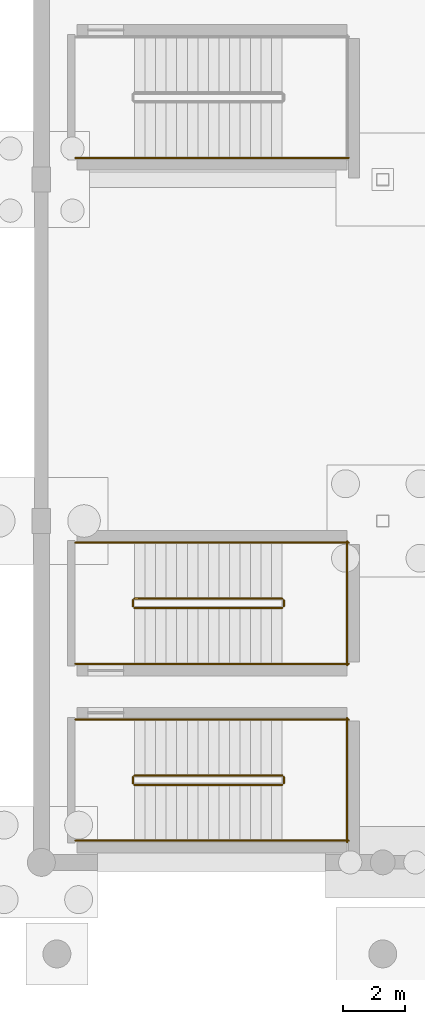
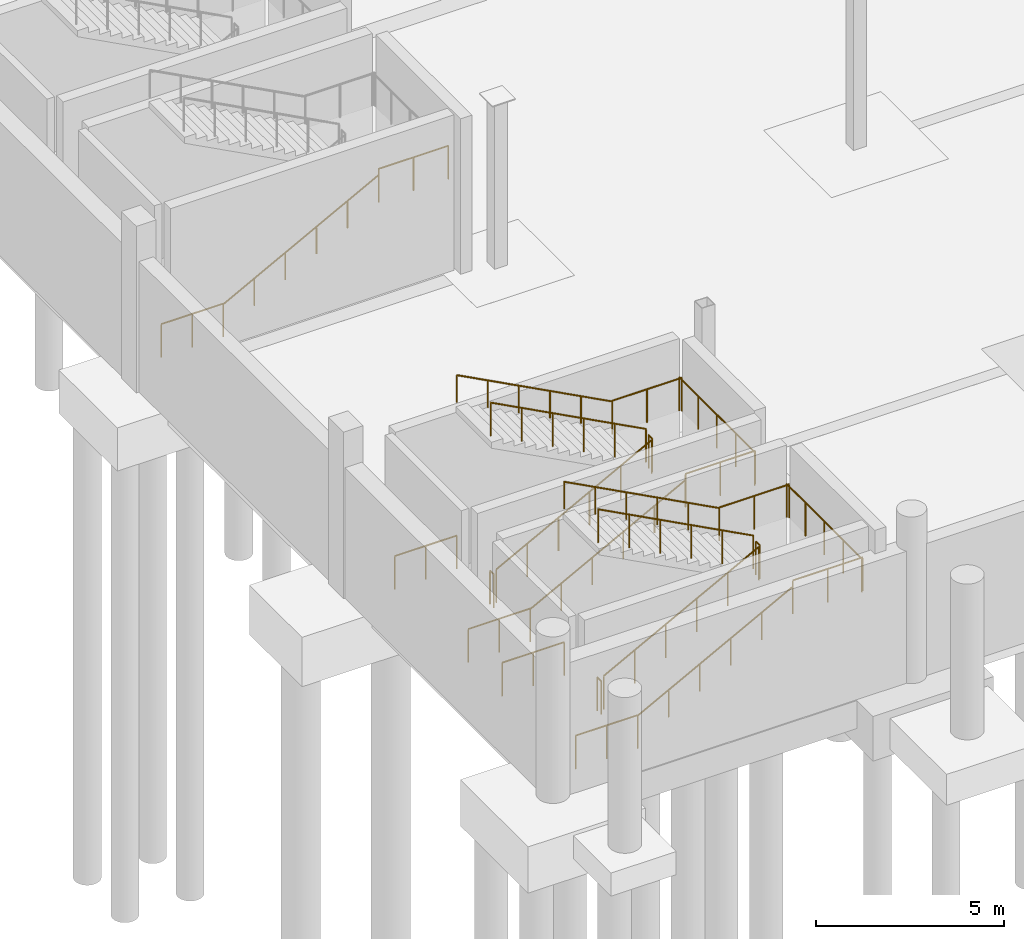
# One storey, part 47 of 60: 25 railings.
"""IFC4 building model written with IfcOpenShell, lengths in metres."""

from ifc_helpers import new_model, si_unit, direction, frame, origin, origin_2d, place, context, subcontext, project, spatial, circle, extrude, material, type_object, element, save


model = new_model("IFC4")

# Units and contexts
model_context = context("Model", 3, precision=1e-05, world=origin(), true_north=direction((0.0, 1.0)))
body_context = subcontext(model_context, "Body", "Model", "MODEL_VIEW")
ifc_project = project(units=[si_unit("LENGTHUNIT", "METRE"), si_unit("AREAUNIT", "SQUARE_METRE"), si_unit("VOLUMEUNIT", "CUBIC_METRE"), si_unit("PLANEANGLEUNIT", "RADIAN"), si_unit("MASSUNIT", "GRAM", prefix="KILO")], contexts=[model_context])

# Site, building, storey
site_placement = place(None, origin())
site = spatial("IfcSite", under=ifc_project, at=site_placement, CompositionType="ELEMENT")
building_placement = place(site_placement, origin())
building = spatial("IfcBuilding", under=site, at=building_placement, Name="Luwafu Chhajja Arena", CompositionType="ELEMENT")
storey_placement = place(building_placement, frame((0.0, 0.0, -5.39990234375)))
storey = spatial("IfcBuildingStorey", under=building, at=storey_placement, Name="B1", CompositionType="ELEMENT", Elevation=-5.39990234375)

# Railings
ifc_material_1 = material(Name="Stainless steel handrail", Category="steel")
railing_type_1 = type_object("IfcRailingType", Name="Stair Pitch Wall Handrail 920", PredefinedType="HANDRAIL", material=ifc_material_1)
for number, where, name in (
    (1, (3.0, 22.699951171875, 0.179931640625), "B1 ST-13 stair handrail 1"),
    (2, (3.0, 0.699951171875, 0.179931640625), "B1 ST-17 stair handrail 1"),
):
    element("IfcRailing", number, at=place(storey_placement, frame(where)), inside=storey, type_object=railing_type_1, Name=name, PredefinedType="HANDRAIL", context=body_context, shape_type="SweptSolid", body=[
        extrude(circle(Radius=0.02392578125, at=origin_2d()), frame((0.0, 0.0, 0.8759765625), z_axis=(0.883786813738, 0.0, 0.467889803119), x_axis=(0.0, 1.0, 0.0)), (0.0, 0.0, 1.0), 5.385986328125),
        extrude(circle(Radius=0.02099609375, at=origin_2d()), origin(), (0.0, 0.0, 1.0), 0.851806640625),
        extrude(circle(Radius=0.02099609375, at=origin_2d()), frame((0.951904296875, 0.0, 0.50390625)), (0.0, 0.0, 1.0), 0.851806640625),
        extrude(circle(Radius=0.02099609375, at=origin_2d()), frame((1.904052734375, 0.0, 1.008056640625)), (0.0, 0.0, 1.0), 0.851806640625),
        extrude(circle(Radius=0.02099609375, at=origin_2d()), frame((2.85595703125, 0.0, 1.511962890625)), (0.0, 0.0, 1.0), 0.851806640625),
        extrude(circle(Radius=0.02099609375, at=origin_2d()), frame((3.80810546875, 0.0, 2.01611328125)), (0.0, 0.0, 1.0), 0.851806640625),
        extrude(circle(Radius=0.02099609375, at=origin_2d()), frame((4.760009765625, 0.0, 2.52001953125)), (0.0, 0.0, 1.0), 0.851806640625),
    ])
railing_1_placement = place(storey_placement, frame((7.760009765625, 4.60009765625, 2.8798828125)))
element("IfcRailing", 3, at=railing_1_placement, inside=storey, type_object=railing_type_1, Name="B1 ST-17 stair handrail 2", PredefinedType="HANDRAIL", context=body_context, shape_type="SweptSolid", body=[
    extrude(circle(Radius=0.02392578125, at=origin_2d()), frame((0.0, 0.0, 0.8759765625), z_axis=(-0.883786813738, 0.0, 0.467889803119), x_axis=(0.0, -1.0, 0.0)), (0.0, 0.0, 1.0), 5.385986328125),
    extrude(circle(Radius=0.02099609375, at=origin_2d()), origin(), (0.0, 0.0, 1.0), 0.851806640625),
    extrude(circle(Radius=0.02099609375, at=origin_2d()), frame((-0.951904296875, 0.0, 0.50390625)), (0.0, 0.0, 1.0), 0.851806640625),
    extrude(circle(Radius=0.02099609375, at=origin_2d()), frame((-1.904052734375, 0.0, 1.008056640625)), (0.0, 0.0, 1.0), 0.851806640625),
    extrude(circle(Radius=0.02099609375, at=origin_2d()), frame((-2.85595703125, 0.0, 1.511962890625)), (0.0, 0.0, 1.0), 0.851806640625),
    extrude(circle(Radius=0.02099609375, at=origin_2d()), frame((-3.80810546875, 0.0, 2.01611328125)), (0.0, 0.0, 1.0), 0.851806640625),
    extrude(circle(Radius=0.02099609375, at=origin_2d()), frame((-4.760009765625, 0.0, 2.52001953125)), (0.0, 0.0, 1.0), 0.851806640625),
])
railing_2_placement = place(storey_placement, frame((3.0, 6.39990234375, 0.179931640625)))
element("IfcRailing", 4, at=railing_2_placement, inside=storey, type_object=railing_type_1, Name="B1 ST-18 stair handrail 1", PredefinedType="HANDRAIL", context=body_context, shape_type="SweptSolid", body=[
    extrude(circle(Radius=0.02392578125, at=origin_2d()), frame((0.0, 0.0, 0.8759765625), z_axis=(0.883786813738, 0.0, 0.467889803119), x_axis=(0.0, 1.0, 0.0)), (0.0, 0.0, 1.0), 5.385986328125),
    extrude(circle(Radius=0.02099609375, at=origin_2d()), origin(), (0.0, 0.0, 1.0), 0.851806640625),
    extrude(circle(Radius=0.02099609375, at=origin_2d()), frame((0.951904296875, 0.0, 0.50390625)), (0.0, 0.0, 1.0), 0.851806640625),
    extrude(circle(Radius=0.02099609375, at=origin_2d()), frame((1.904052734375, 0.0, 1.008056640625)), (0.0, 0.0, 1.0), 0.851806640625),
    extrude(circle(Radius=0.02099609375, at=origin_2d()), frame((2.85595703125, 0.0, 1.511962890625)), (0.0, 0.0, 1.0), 0.851806640625),
    extrude(circle(Radius=0.02099609375, at=origin_2d()), frame((3.80810546875, 0.0, 2.01611328125)), (0.0, 0.0, 1.0), 0.851806640625),
    extrude(circle(Radius=0.02099609375, at=origin_2d()), frame((4.760009765625, 0.0, 2.52001953125)), (0.0, 0.0, 1.0), 0.851806640625),
])
railing_3_placement = place(storey_placement, frame((7.760009765625, 10.300048828125, 2.8798828125)))
element("IfcRailing", 5, at=railing_3_placement, inside=storey, type_object=railing_type_1, Name="B1 ST-18 stair handrail 2", PredefinedType="HANDRAIL", context=body_context, shape_type="SweptSolid", body=[
    extrude(circle(Radius=0.02392578125, at=origin_2d()), frame((0.0, 0.0, 0.8759765625), z_axis=(-0.883786813738, 0.0, 0.467889803119), x_axis=(0.0, -1.0, 0.0)), (0.0, 0.0, 1.0), 5.385986328125),
    extrude(circle(Radius=0.02099609375, at=origin_2d()), origin(), (0.0, 0.0, 1.0), 0.851806640625),
    extrude(circle(Radius=0.02099609375, at=origin_2d()), frame((-0.951904296875, 0.0, 0.50390625)), (0.0, 0.0, 1.0), 0.851806640625),
    extrude(circle(Radius=0.02099609375, at=origin_2d()), frame((-1.904052734375, 0.0, 1.008056640625)), (0.0, 0.0, 1.0), 0.851806640625),
    extrude(circle(Radius=0.02099609375, at=origin_2d()), frame((-2.85595703125, 0.0, 1.511962890625)), (0.0, 0.0, 1.0), 0.851806640625),
    extrude(circle(Radius=0.02099609375, at=origin_2d()), frame((-3.80810546875, 0.0, 2.01611328125)), (0.0, 0.0, 1.0), 0.851806640625),
    extrude(circle(Radius=0.02099609375, at=origin_2d()), frame((-4.760009765625, 0.0, 2.52001953125)), (0.0, 0.0, 1.0), 0.851806640625),
])
ifc_material_2 = material(Name="Stainless steel balustrade", Category="steel")
railing_type_2 = type_object("IfcRailingType", Name="Stair and Terrace Guard Balustrade 1100", PredefinedType="BALUSTRADE", material=ifc_material_2)
railing_4_placement = place(storey_placement, frame((7.760009765625, 22.699951171875, 2.699951171875)))
element("IfcRailing", 6, at=railing_4_placement, inside=storey, type_object=railing_type_2, Name="B1 ST-13 stair guard 3", PredefinedType="BALUSTRADE", context=body_context, shape_type="SweptSolid", body=[
    extrude(circle(Radius=0.02392578125, at=origin_2d()), frame((0.0, 0.0, 1.076171875), z_axis=(1.0, 0.0, 0.0), x_axis=(0.0, 1.0, 0.0)), (0.0, 0.0, 1.0), 2.139892578125),
    extrude(circle(Radius=0.02099609375, at=origin_2d()), origin(), (0.0, 0.0, 1.0), 1.052001953125),
    extrude(circle(Radius=0.02099609375, at=origin_2d()), frame((1.06982421875, 0.0, 0.0)), (0.0, 0.0, 1.0), 1.052001953125),
    extrude(circle(Radius=0.02099609375, at=origin_2d()), frame((2.139892578125, 0.0, 0.0)), (0.0, 0.0, 1.0), 1.052001953125),
])
railing_5_placement = place(storey_placement, frame((1.10009765625, 22.699951171875, 0.0)))
element("IfcRailing", 7, at=railing_5_placement, inside=storey, type_object=railing_type_2, Name="B1 ST-13 stair guard 8", PredefinedType="BALUSTRADE", context=body_context, shape_type="SweptSolid", body=[
    extrude(circle(Radius=0.02392578125, at=origin_2d()), frame((0.0, 0.0, 1.076171875), z_axis=(1.0, 0.0, 0.0), x_axis=(0.0, 1.0, 0.0)), (0.0, 0.0, 1.0), 1.89990234375),
    extrude(circle(Radius=0.02099609375, at=origin_2d()), origin(), (0.0, 0.0, 1.0), 1.052001953125),
    extrude(circle(Radius=0.02099609375, at=origin_2d()), frame((0.949951171875, 0.0, 0.0)), (0.0, 0.0, 1.0), 1.052001953125),
    extrude(circle(Radius=0.02099609375, at=origin_2d()), frame((1.89990234375, 0.0, 0.0)), (0.0, 0.0, 1.0), 1.052001953125),
])
railing_6_placement = place(storey_placement, frame((3.0, 2.5, 0.179931640625)))
element("IfcRailing", 8, at=railing_6_placement, inside=storey, type_object=railing_type_2, Name="B1 ST-17 stair guard 1", PredefinedType="BALUSTRADE", context=body_context, shape_type="SweptSolid", body=[
    extrude(circle(Radius=0.02392578125, at=origin_2d()), frame((0.0, 0.0, 1.076171875), z_axis=(0.883786813738, 0.0, 0.467889803119), x_axis=(0.0, 1.0, 0.0)), (0.0, 0.0, 1.0), 5.385986328125),
    extrude(circle(Radius=0.02099609375, at=origin_2d()), origin(), (0.0, 0.0, 1.0), 1.052001953125),
    extrude(circle(Radius=0.02099609375, at=origin_2d()), frame((0.951904296875, 0.0, 0.50390625)), (0.0, 0.0, 1.0), 1.052001953125),
    extrude(circle(Radius=0.02099609375, at=origin_2d()), frame((1.904052734375, 0.0, 1.008056640625)), (0.0, 0.0, 1.0), 1.052001953125),
    extrude(circle(Radius=0.02099609375, at=origin_2d()), frame((2.85595703125, 0.0, 1.511962890625)), (0.0, 0.0, 1.0), 1.052001953125),
    extrude(circle(Radius=0.02099609375, at=origin_2d()), frame((3.80810546875, 0.0, 2.01611328125)), (0.0, 0.0, 1.0), 1.052001953125),
    extrude(circle(Radius=0.02099609375, at=origin_2d()), frame((4.760009765625, 0.0, 2.52001953125)), (0.0, 0.0, 1.0), 1.052001953125),
])
railing_7_placement = place(storey_placement, frame((7.81005859375, 2.550048828125, 2.699951171875)))
element("IfcRailing", 9, at=railing_7_placement, inside=storey, type_object=railing_type_2, Name="B1 ST-17 stair guard 2", PredefinedType="BALUSTRADE", context=body_context, shape_type="SweptSolid", body=[
    extrude(circle(Radius=0.02392578125, at=origin_2d()), frame((0.0, 0.0, 1.076171875), z_axis=(0.0, 1.0, 0.0), x_axis=(-1.0, 0.0, 0.0)), (0.0, 0.0, 1.0), 0.199951171875),
    extrude(circle(Radius=0.02099609375, at=origin_2d()), origin(), (0.0, 0.0, 1.0), 1.052001953125),
    extrude(circle(Radius=0.02099609375, at=origin_2d()), frame((0.0, 0.199951171875, 0.0)), (0.0, 0.0, 1.0), 1.052001953125),
])
for number, where, name in (
    (10, (7.760009765625, 0.699951171875, 2.699951171875), "B1 ST-17 stair guard 3"),
    (11, (7.760009765625, 4.60009765625, 2.699951171875), "B1 ST-17 stair guard 4"),
):
    element("IfcRailing", number, at=place(storey_placement, frame(where)), inside=storey, type_object=railing_type_2, Name=name, PredefinedType="BALUSTRADE", context=body_context, shape_type="SweptSolid", body=[
        extrude(circle(Radius=0.02392578125, at=origin_2d()), frame((0.0, 0.0, 1.076171875), z_axis=(1.0, 0.0, 0.0), x_axis=(0.0, 1.0, 0.0)), (0.0, 0.0, 1.0), 2.139892578125),
        extrude(circle(Radius=0.02099609375, at=origin_2d()), origin(), (0.0, 0.0, 1.0), 1.052001953125),
        extrude(circle(Radius=0.02099609375, at=origin_2d()), frame((1.06982421875, 0.0, 0.0)), (0.0, 0.0, 1.0), 1.052001953125),
        extrude(circle(Radius=0.02099609375, at=origin_2d()), frame((2.139892578125, 0.0, 0.0)), (0.0, 0.0, 1.0), 1.052001953125),
    ])
railing_8_placement = place(storey_placement, frame((9.85009765625, 0.64990234375, 2.699951171875)))
element("IfcRailing", 12, at=railing_8_placement, inside=storey, type_object=railing_type_2, Name="B1 ST-17 stair guard 5", PredefinedType="BALUSTRADE", context=body_context, shape_type="SweptSolid", body=[
    extrude(circle(Radius=0.02392578125, at=origin_2d()), frame((0.0, 0.0, 1.076171875), z_axis=(0.0, 1.0, 0.0), x_axis=(-1.0, 0.0, 0.0)), (0.0, 0.0, 1.0), 4.0),
    extrude(circle(Radius=0.02099609375, at=origin_2d()), origin(), (0.0, 0.0, 1.0), 1.052001953125),
    extrude(circle(Radius=0.02099609375, at=origin_2d()), frame((0.0, 1.0, 0.0)), (0.0, 0.0, 1.0), 1.052001953125),
    extrude(circle(Radius=0.02099609375, at=origin_2d()), frame((0.0, 2.0, 0.0)), (0.0, 0.0, 1.0), 1.052001953125),
    extrude(circle(Radius=0.02099609375, at=origin_2d()), frame((0.0, 3.0, 0.0)), (0.0, 0.0, 1.0), 1.052001953125),
    extrude(circle(Radius=0.02099609375, at=origin_2d()), frame((0.0, 4.0, 0.0)), (0.0, 0.0, 1.0), 1.052001953125),
])
railing_9_placement = place(storey_placement, frame((7.760009765625, 2.800048828125, 2.8798828125)))
element("IfcRailing", 13, at=railing_9_placement, inside=storey, type_object=railing_type_2, Name="B1 ST-17 stair guard 6", PredefinedType="BALUSTRADE", context=body_context, shape_type="SweptSolid", body=[
    extrude(circle(Radius=0.02392578125, at=origin_2d()), frame((0.0, 0.0, 1.076171875), z_axis=(-0.883786813738, 0.0, 0.467889803119), x_axis=(0.0, -1.0, 0.0)), (0.0, 0.0, 1.0), 5.385986328125),
    extrude(circle(Radius=0.02099609375, at=origin_2d()), origin(), (0.0, 0.0, 1.0), 1.052001953125),
    extrude(circle(Radius=0.02099609375, at=origin_2d()), frame((-0.951904296875, 0.0, 0.50390625)), (0.0, 0.0, 1.0), 1.052001953125),
    extrude(circle(Radius=0.02099609375, at=origin_2d()), frame((-1.904052734375, 0.0, 1.008056640625)), (0.0, 0.0, 1.0), 1.052001953125),
    extrude(circle(Radius=0.02099609375, at=origin_2d()), frame((-2.85595703125, 0.0, 1.511962890625)), (0.0, 0.0, 1.0), 1.052001953125),
    extrude(circle(Radius=0.02099609375, at=origin_2d()), frame((-3.80810546875, 0.0, 2.01611328125)), (0.0, 0.0, 1.0), 1.052001953125),
    extrude(circle(Radius=0.02099609375, at=origin_2d()), frame((-4.760009765625, 0.0, 2.52001953125)), (0.0, 0.0, 1.0), 1.052001953125),
])
railing_10_placement = place(storey_placement, frame((2.949951171875, 2.550048828125, 0.0)))
element("IfcRailing", 14, at=railing_10_placement, inside=storey, type_object=railing_type_2, Name="B1 ST-17 stair guard 7", PredefinedType="BALUSTRADE", context=body_context, shape_type="SweptSolid", body=[
    extrude(circle(Radius=0.02392578125, at=origin_2d()), frame((0.0, 0.0, 1.076171875), z_axis=(0.0, 1.0, 0.0), x_axis=(-1.0, 0.0, 0.0)), (0.0, 0.0, 1.0), 0.199951171875),
    extrude(circle(Radius=0.02099609375, at=origin_2d()), origin(), (0.0, 0.0, 1.0), 1.052001953125),
    extrude(circle(Radius=0.02099609375, at=origin_2d()), frame((0.0, 0.199951171875, 0.0)), (0.0, 0.0, 1.0), 1.052001953125),
])
for number, where, name in (
    (15, (1.10009765625, 0.699951171875, 0.0), "B1 ST-17 stair guard 8"),
    (16, (1.10009765625, 4.60009765625, 0.0), "B1 ST-17 stair guard 9"),
):
    element("IfcRailing", number, at=place(storey_placement, frame(where)), inside=storey, type_object=railing_type_2, Name=name, PredefinedType="BALUSTRADE", context=body_context, shape_type="SweptSolid", body=[
        extrude(circle(Radius=0.02392578125, at=origin_2d()), frame((0.0, 0.0, 1.076171875), z_axis=(1.0, 0.0, 0.0), x_axis=(0.0, 1.0, 0.0)), (0.0, 0.0, 1.0), 1.89990234375),
        extrude(circle(Radius=0.02099609375, at=origin_2d()), origin(), (0.0, 0.0, 1.0), 1.052001953125),
        extrude(circle(Radius=0.02099609375, at=origin_2d()), frame((0.949951171875, 0.0, 0.0)), (0.0, 0.0, 1.0), 1.052001953125),
        extrude(circle(Radius=0.02099609375, at=origin_2d()), frame((1.89990234375, 0.0, 0.0)), (0.0, 0.0, 1.0), 1.052001953125),
    ])
railing_11_placement = place(storey_placement, frame((3.0, 8.199951171875, 0.179931640625)))
element("IfcRailing", 17, at=railing_11_placement, inside=storey, type_object=railing_type_2, Name="B1 ST-18 stair guard 1", PredefinedType="BALUSTRADE", context=body_context, shape_type="SweptSolid", body=[
    extrude(circle(Radius=0.02392578125, at=origin_2d()), frame((0.0, 0.0, 1.076171875), z_axis=(0.883786813738, 0.0, 0.467889803119), x_axis=(0.0, 1.0, 0.0)), (0.0, 0.0, 1.0), 5.385986328125),
    extrude(circle(Radius=0.02099609375, at=origin_2d()), origin(), (0.0, 0.0, 1.0), 1.052001953125),
    extrude(circle(Radius=0.02099609375, at=origin_2d()), frame((0.951904296875, 0.0, 0.50390625)), (0.0, 0.0, 1.0), 1.052001953125),
    extrude(circle(Radius=0.02099609375, at=origin_2d()), frame((1.904052734375, 0.0, 1.008056640625)), (0.0, 0.0, 1.0), 1.052001953125),
    extrude(circle(Radius=0.02099609375, at=origin_2d()), frame((2.85595703125, 0.0, 1.511962890625)), (0.0, 0.0, 1.0), 1.052001953125),
    extrude(circle(Radius=0.02099609375, at=origin_2d()), frame((3.80810546875, 0.0, 2.01611328125)), (0.0, 0.0, 1.0), 1.052001953125),
    extrude(circle(Radius=0.02099609375, at=origin_2d()), frame((4.760009765625, 0.0, 2.52001953125)), (0.0, 0.0, 1.0), 1.052001953125),
])
railing_12_placement = place(storey_placement, frame((7.81005859375, 8.25, 2.699951171875)))
element("IfcRailing", 18, at=railing_12_placement, inside=storey, type_object=railing_type_2, Name="B1 ST-18 stair guard 2", PredefinedType="BALUSTRADE", context=body_context, shape_type="SweptSolid", body=[
    extrude(circle(Radius=0.02392578125, at=origin_2d()), frame((0.0, 0.0, 1.076171875), z_axis=(0.0, 1.0, 0.0), x_axis=(-1.0, 0.0, 0.0)), (0.0, 0.0, 1.0), 0.199951171875),
    extrude(circle(Radius=0.02099609375, at=origin_2d()), origin(), (0.0, 0.0, 1.0), 1.052001953125),
    extrude(circle(Radius=0.02099609375, at=origin_2d()), frame((0.0, 0.199951171875, 0.0)), (0.0, 0.0, 1.0), 1.052001953125),
])
for number, where, name in (
    (19, (7.760009765625, 6.39990234375, 2.699951171875), "B1 ST-18 stair guard 3"),
    (20, (7.760009765625, 10.300048828125, 2.699951171875), "B1 ST-18 stair guard 4"),
):
    element("IfcRailing", number, at=place(storey_placement, frame(where)), inside=storey, type_object=railing_type_2, Name=name, PredefinedType="BALUSTRADE", context=body_context, shape_type="SweptSolid", body=[
        extrude(circle(Radius=0.02392578125, at=origin_2d()), frame((0.0, 0.0, 1.076171875), z_axis=(1.0, 0.0, 0.0), x_axis=(0.0, 1.0, 0.0)), (0.0, 0.0, 1.0), 2.139892578125),
        extrude(circle(Radius=0.02099609375, at=origin_2d()), origin(), (0.0, 0.0, 1.0), 1.052001953125),
        extrude(circle(Radius=0.02099609375, at=origin_2d()), frame((1.06982421875, 0.0, 0.0)), (0.0, 0.0, 1.0), 1.052001953125),
        extrude(circle(Radius=0.02099609375, at=origin_2d()), frame((2.139892578125, 0.0, 0.0)), (0.0, 0.0, 1.0), 1.052001953125),
    ])
railing_13_placement = place(storey_placement, frame((9.85009765625, 6.35009765625, 2.699951171875)))
element("IfcRailing", 21, at=railing_13_placement, inside=storey, type_object=railing_type_2, Name="B1 ST-18 stair guard 5", PredefinedType="BALUSTRADE", context=body_context, shape_type="SweptSolid", body=[
    extrude(circle(Radius=0.02392578125, at=origin_2d()), frame((0.0, 0.0, 1.076171875), z_axis=(0.0, 1.0, 0.0), x_axis=(-1.0, 0.0, 0.0)), (0.0, 0.0, 1.0), 4.0),
    extrude(circle(Radius=0.02099609375, at=origin_2d()), origin(), (0.0, 0.0, 1.0), 1.052001953125),
    extrude(circle(Radius=0.02099609375, at=origin_2d()), frame((0.0, 1.0, 0.0)), (0.0, 0.0, 1.0), 1.052001953125),
    extrude(circle(Radius=0.02099609375, at=origin_2d()), frame((0.0, 2.0, 0.0)), (0.0, 0.0, 1.0), 1.052001953125),
    extrude(circle(Radius=0.02099609375, at=origin_2d()), frame((0.0, 3.0, 0.0)), (0.0, 0.0, 1.0), 1.052001953125),
    extrude(circle(Radius=0.02099609375, at=origin_2d()), frame((0.0, 4.0, 0.0)), (0.0, 0.0, 1.0), 1.052001953125),
])
railing_14_placement = place(storey_placement, frame((7.760009765625, 8.5, 2.8798828125)))
element("IfcRailing", 22, at=railing_14_placement, inside=storey, type_object=railing_type_2, Name="B1 ST-18 stair guard 6", PredefinedType="BALUSTRADE", context=body_context, shape_type="SweptSolid", body=[
    extrude(circle(Radius=0.02392578125, at=origin_2d()), frame((0.0, 0.0, 1.076171875), z_axis=(-0.883786813738, 0.0, 0.467889803119), x_axis=(0.0, -1.0, 0.0)), (0.0, 0.0, 1.0), 5.385986328125),
    extrude(circle(Radius=0.02099609375, at=origin_2d()), origin(), (0.0, 0.0, 1.0), 1.052001953125),
    extrude(circle(Radius=0.02099609375, at=origin_2d()), frame((-0.951904296875, 0.0, 0.50390625)), (0.0, 0.0, 1.0), 1.052001953125),
    extrude(circle(Radius=0.02099609375, at=origin_2d()), frame((-1.904052734375, 0.0, 1.008056640625)), (0.0, 0.0, 1.0), 1.052001953125),
    extrude(circle(Radius=0.02099609375, at=origin_2d()), frame((-2.85595703125, 0.0, 1.511962890625)), (0.0, 0.0, 1.0), 1.052001953125),
    extrude(circle(Radius=0.02099609375, at=origin_2d()), frame((-3.80810546875, 0.0, 2.01611328125)), (0.0, 0.0, 1.0), 1.052001953125),
    extrude(circle(Radius=0.02099609375, at=origin_2d()), frame((-4.760009765625, 0.0, 2.52001953125)), (0.0, 0.0, 1.0), 1.052001953125),
])
railing_15_placement = place(storey_placement, frame((2.949951171875, 8.25, 0.0)))
element("IfcRailing", 23, at=railing_15_placement, inside=storey, type_object=railing_type_2, Name="B1 ST-18 stair guard 7", PredefinedType="BALUSTRADE", context=body_context, shape_type="SweptSolid", body=[
    extrude(circle(Radius=0.02392578125, at=origin_2d()), frame((0.0, 0.0, 1.076171875), z_axis=(0.0, 1.0, 0.0), x_axis=(-1.0, 0.0, 0.0)), (0.0, 0.0, 1.0), 0.199951171875),
    extrude(circle(Radius=0.02099609375, at=origin_2d()), origin(), (0.0, 0.0, 1.0), 1.052001953125),
    extrude(circle(Radius=0.02099609375, at=origin_2d()), frame((0.0, 0.199951171875, 0.0)), (0.0, 0.0, 1.0), 1.052001953125),
])
for number, where, name in (
    (24, (1.10009765625, 6.39990234375, 0.0), "B1 ST-18 stair guard 8"),
    (25, (1.10009765625, 10.300048828125, 0.0), "B1 ST-18 stair guard 9"),
):
    element("IfcRailing", number, at=place(storey_placement, frame(where)), inside=storey, type_object=railing_type_2, Name=name, PredefinedType="BALUSTRADE", context=body_context, shape_type="SweptSolid", body=[
        extrude(circle(Radius=0.02392578125, at=origin_2d()), frame((0.0, 0.0, 1.076171875), z_axis=(1.0, 0.0, 0.0), x_axis=(0.0, 1.0, 0.0)), (0.0, 0.0, 1.0), 1.89990234375),
        extrude(circle(Radius=0.02099609375, at=origin_2d()), origin(), (0.0, 0.0, 1.0), 1.052001953125),
        extrude(circle(Radius=0.02099609375, at=origin_2d()), frame((0.949951171875, 0.0, 0.0)), (0.0, 0.0, 1.0), 1.052001953125),
        extrude(circle(Radius=0.02099609375, at=origin_2d()), frame((1.89990234375, 0.0, 0.0)), (0.0, 0.0, 1.0), 1.052001953125),
    ])

save(model, "model.ifc")
